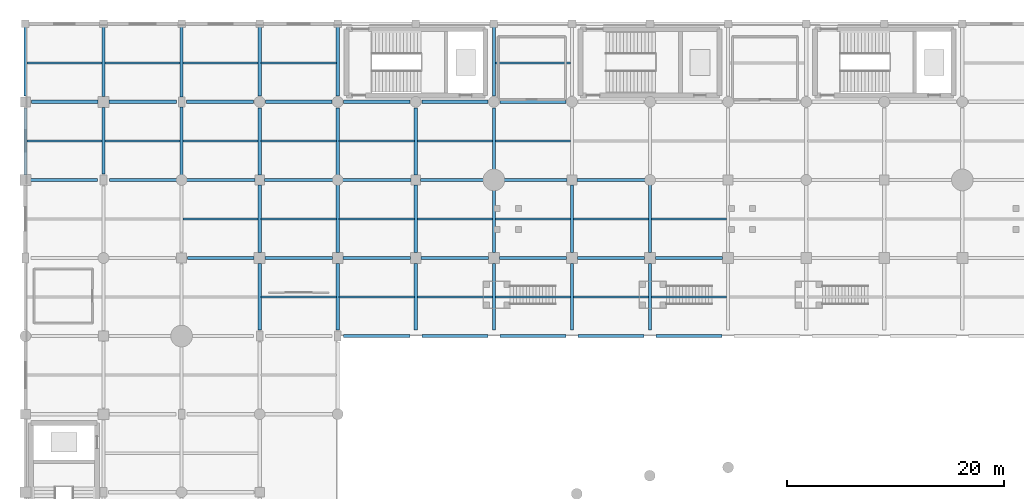
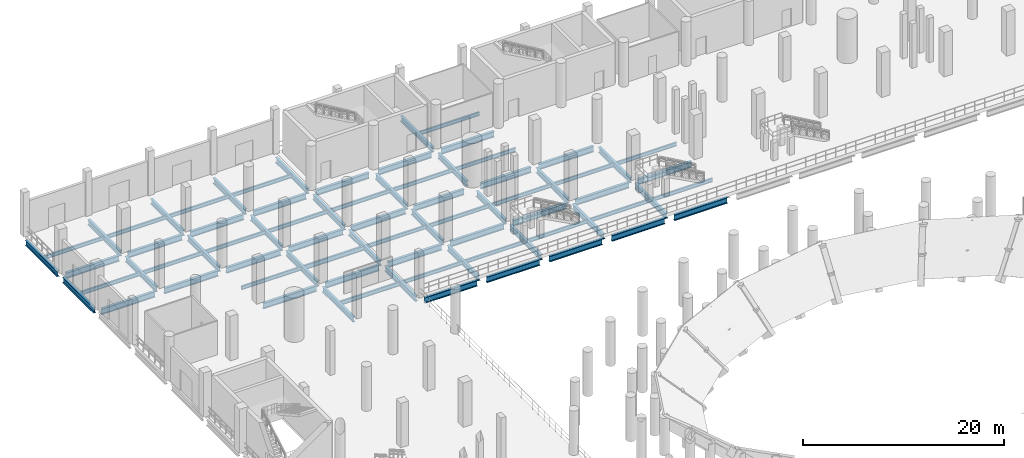
# One storey, part 11 of 58: 77 beams.
"""IFC4 building model written with IfcOpenShell, lengths in metres."""

from ifc_helpers import new_model, si_unit, direction, frame, origin, origin_2d, place, context, subcontext, project, spatial, i_section, extrude, material, material_profile, profile_set, type_object, element, save


model = new_model("IFC4")

# Units and contexts
model_context = context("Model", 3, precision=1e-05, world=origin(), true_north=direction((0.0, 1.0)))
body_context = subcontext(model_context, "Body", "Model", "MODEL_VIEW")
ifc_project = project(units=[si_unit("LENGTHUNIT", "METRE"), si_unit("AREAUNIT", "SQUARE_METRE"), si_unit("VOLUMEUNIT", "CUBIC_METRE"), si_unit("PLANEANGLEUNIT", "RADIAN"), si_unit("MASSUNIT", "GRAM", prefix="KILO")], contexts=[model_context])

# Site, building, storey
site_placement = place(None, origin())
site = spatial("IfcSite", under=ifc_project, at=site_placement, CompositionType="ELEMENT")
building_placement = place(site_placement, origin())
building = spatial("IfcBuilding", under=site, at=building_placement, Name="Qandorah Velis Arena", CompositionType="ELEMENT")
storey_placement = place(building_placement, origin())
storey = spatial("IfcBuildingStorey", under=building, at=storey_placement, Name="L00", CompositionType="ELEMENT", Elevation=0.0)

# Beams
ifc_material = material(Name="Steel S355", Category="steel")
ifc_material_profile_1 = material_profile(ifc_material, i_section(OverallWidth=0.300048828125, OverallDepth=0.64990234375, WebThickness=0.01611328125, FlangeThickness=0.031005859375, FilletRadius=0.027099609375, at=origin_2d()), Name="HEB 650")
ifc_profile_set_1 = profile_set([ifc_material_profile_1], Name="Steel S355")
beam_type_1 = type_object("IfcBeamType", Name="STR-BM-HEB650", PredefinedType="BEAM", material=ifc_profile_set_1)
beam_1_placement = place(storey_placement, frame((0.0, 115.64990234375, -0.7451171875), z_axis=(0.0, 1.0, 0.0), x_axis=(-1.0, 0.0, 0.0)))
element("IfcBeam", 1, at=beam_1_placement, inside=storey, type_object=beam_type_1, Name="Primary floor girder L00 Y-284", PredefinedType="BEAM", context=body_context, shape_type="SweptSolid", body=[
    extrude(i_section(OverallWidth=0.300048828125, OverallDepth=0.64990234375, WebThickness=0.01611328125, FlangeThickness=0.031005859375, FilletRadius=0.027099609375, at=origin_2d()), origin(), (0.0, 0.0, 1.0), 6.2001953125),
])
beam_2_placement = place(storey_placement, frame((0.0, 122.949951171875, -0.7451171875), z_axis=(0.0, 1.0, 0.0), x_axis=(-1.0, 0.0, 0.0)))
element("IfcBeam", 2, at=beam_2_placement, inside=storey, type_object=beam_type_1, Name="Primary floor girder L00 Y-285", PredefinedType="BEAM", context=body_context, shape_type="SweptSolid", body=[
    extrude(i_section(OverallWidth=0.300048828125, OverallDepth=0.64990234375, WebThickness=0.01611328125, FlangeThickness=0.031005859375, FilletRadius=0.027099609375, at=origin_2d()), origin(), (0.0, 0.0, 1.0), 6.35009765625),
])
beam_3_placement = place(storey_placement, frame((7.199951171875, 115.75, -0.7451171875), z_axis=(0.0, 1.0, 0.0), x_axis=(-1.0, 0.0, 0.0)))
element("IfcBeam", 3, at=beam_3_placement, inside=storey, type_object=beam_type_1, Name="Primary floor girder L00 Y-302", PredefinedType="BEAM", context=body_context, shape_type="SweptSolid", body=[
    extrude(i_section(OverallWidth=0.300048828125, OverallDepth=0.64990234375, WebThickness=0.01611328125, FlangeThickness=0.031005859375, FilletRadius=0.027099609375, at=origin_2d()), origin(), (0.0, 0.0, 1.0), 6.14990234375),
])
beam_4_placement = place(storey_placement, frame((7.199951171875, 122.89990234375, -0.7451171875), z_axis=(0.0, 1.0, 0.0), x_axis=(-1.0, 0.0, 0.0)))
element("IfcBeam", 4, at=beam_4_placement, inside=storey, type_object=beam_type_1, Name="Primary floor girder L00 Y-303", PredefinedType="BEAM", context=body_context, shape_type="SweptSolid", body=[
    extrude(i_section(OverallWidth=0.300048828125, OverallDepth=0.64990234375, WebThickness=0.01611328125, FlangeThickness=0.031005859375, FilletRadius=0.027099609375, at=origin_2d()), origin(), (0.0, 0.0, 1.0), 6.400146484375),
])
beam_5_placement = place(storey_placement, frame((14.39990234375, 115.64990234375, -0.7451171875), z_axis=(0.0, 1.0, 0.0), x_axis=(-1.0, 0.0, 0.0)))
element("IfcBeam", 5, at=beam_5_placement, inside=storey, type_object=beam_type_1, Name="Primary floor girder L00 Y-320", PredefinedType="BEAM", context=body_context, shape_type="SweptSolid", body=[
    extrude(i_section(OverallWidth=0.300048828125, OverallDepth=0.64990234375, WebThickness=0.01611328125, FlangeThickness=0.031005859375, FilletRadius=0.027099609375, at=origin_2d()), origin(), (0.0, 0.0, 1.0), 6.300048828125),
])
beam_6_placement = place(storey_placement, frame((14.39990234375, 122.85009765625, -0.7451171875), z_axis=(0.0, 1.0, 0.0), x_axis=(-1.0, 0.0, 0.0)))
element("IfcBeam", 6, at=beam_6_placement, inside=storey, type_object=beam_type_1, Name="Primary floor girder L00 Y-321", PredefinedType="BEAM", context=body_context, shape_type="SweptSolid", body=[
    extrude(i_section(OverallWidth=0.300048828125, OverallDepth=0.64990234375, WebThickness=0.01611328125, FlangeThickness=0.031005859375, FilletRadius=0.027099609375, at=origin_2d()), origin(), (0.0, 0.0, 1.0), 6.449951171875),
])
beam_7_placement = place(storey_placement, frame((21.60009765625, 101.35009765625, -0.7451171875), z_axis=(0.0, 1.0, 0.0), x_axis=(-1.0, 0.0, 0.0)))
element("IfcBeam", 7, at=beam_7_placement, inside=storey, type_object=beam_type_1, Name="Primary floor girder L00 Y-336", PredefinedType="BEAM", context=body_context, shape_type="SweptSolid", body=[
    extrude(i_section(OverallWidth=0.300048828125, OverallDepth=0.64990234375, WebThickness=0.01611328125, FlangeThickness=0.031005859375, FilletRadius=0.027099609375, at=origin_2d()), origin(), (0.0, 0.0, 1.0), 6.14990234375),
])
beam_8_placement = place(storey_placement, frame((21.60009765625, 108.5, -0.7451171875), z_axis=(0.0, 1.0, 0.0), x_axis=(-1.0, 0.0, 0.0)))
element("IfcBeam", 8, at=beam_8_placement, inside=storey, type_object=beam_type_1, Name="Primary floor girder L00 Y-337", PredefinedType="BEAM", context=body_context, shape_type="SweptSolid", body=[
    extrude(i_section(OverallWidth=0.300048828125, OverallDepth=0.64990234375, WebThickness=0.01611328125, FlangeThickness=0.031005859375, FilletRadius=0.027099609375, at=origin_2d()), origin(), (0.0, 0.0, 1.0), 6.25),
])
beam_9_placement = place(storey_placement, frame((21.60009765625, 115.64990234375, -0.7451171875), z_axis=(0.0, 1.0, 0.0), x_axis=(-1.0, 0.0, 0.0)))
element("IfcBeam", 9, at=beam_9_placement, inside=storey, type_object=beam_type_1, Name="Primary floor girder L00 Y-338", PredefinedType="BEAM", context=body_context, shape_type="SweptSolid", body=[
    extrude(i_section(OverallWidth=0.300048828125, OverallDepth=0.64990234375, WebThickness=0.01611328125, FlangeThickness=0.031005859375, FilletRadius=0.027099609375, at=origin_2d()), origin(), (0.0, 0.0, 1.0), 6.2001953125),
])
beam_10_placement = place(storey_placement, frame((21.60009765625, 122.949951171875, -0.7451171875), z_axis=(0.0, 1.0, 0.0), x_axis=(-1.0, 0.0, 0.0)))
element("IfcBeam", 10, at=beam_10_placement, inside=storey, type_object=beam_type_1, Name="Primary floor girder L00 Y-339", PredefinedType="BEAM", context=body_context, shape_type="SweptSolid", body=[
    extrude(i_section(OverallWidth=0.300048828125, OverallDepth=0.64990234375, WebThickness=0.01611328125, FlangeThickness=0.031005859375, FilletRadius=0.027099609375, at=origin_2d()), origin(), (0.0, 0.0, 1.0), 6.35009765625),
])
beam_11_placement = place(storey_placement, frame((28.800048828125, 101.35009765625, -0.7451171875), z_axis=(0.0, 1.0, 0.0), x_axis=(-1.0, 0.0, 0.0)))
element("IfcBeam", 11, at=beam_11_placement, inside=storey, type_object=beam_type_1, Name="Primary floor girder L00 Y-346", PredefinedType="BEAM", context=body_context, shape_type="SweptSolid", body=[
    extrude(i_section(OverallWidth=0.300048828125, OverallDepth=0.64990234375, WebThickness=0.01611328125, FlangeThickness=0.031005859375, FilletRadius=0.027099609375, at=origin_2d()), origin(), (0.0, 0.0, 1.0), 6.14990234375),
])
beam_12_placement = place(storey_placement, frame((28.800048828125, 108.5, -0.7451171875), z_axis=(0.0, 1.0, 0.0), x_axis=(-1.0, 0.0, 0.0)))
element("IfcBeam", 12, at=beam_12_placement, inside=storey, type_object=beam_type_1, Name="Primary floor girder L00 Y-347", PredefinedType="BEAM", context=body_context, shape_type="SweptSolid", body=[
    extrude(i_section(OverallWidth=0.300048828125, OverallDepth=0.64990234375, WebThickness=0.01611328125, FlangeThickness=0.031005859375, FilletRadius=0.027099609375, at=origin_2d()), origin(), (0.0, 0.0, 1.0), 6.25),
])
beam_13_placement = place(storey_placement, frame((28.800048828125, 115.64990234375, -0.7451171875), z_axis=(0.0, 1.0, 0.0), x_axis=(-1.0, 0.0, 0.0)))
element("IfcBeam", 13, at=beam_13_placement, inside=storey, type_object=beam_type_1, Name="Primary floor girder L00 Y-348", PredefinedType="BEAM", context=body_context, shape_type="SweptSolid", body=[
    extrude(i_section(OverallWidth=0.300048828125, OverallDepth=0.64990234375, WebThickness=0.01611328125, FlangeThickness=0.031005859375, FilletRadius=0.027099609375, at=origin_2d()), origin(), (0.0, 0.0, 1.0), 6.2001953125),
])
beam_14_placement = place(storey_placement, frame((28.800048828125, 122.949951171875, -0.7451171875), z_axis=(0.0, 1.0, 0.0), x_axis=(-1.0, 0.0, 0.0)))
element("IfcBeam", 14, at=beam_14_placement, inside=storey, type_object=beam_type_1, Name="Primary floor girder L00 Y-349", PredefinedType="BEAM", context=body_context, shape_type="SweptSolid", body=[
    extrude(i_section(OverallWidth=0.300048828125, OverallDepth=0.64990234375, WebThickness=0.01611328125, FlangeThickness=0.031005859375, FilletRadius=0.027099609375, at=origin_2d()), origin(), (0.0, 0.0, 1.0), 6.35009765625),
])
beam_15_placement = place(storey_placement, frame((36.0, 101.35009765625, -0.7451171875), z_axis=(0.0, 1.0, 0.0), x_axis=(-1.0, 0.0, 0.0)))
element("IfcBeam", 15, at=beam_15_placement, inside=storey, type_object=beam_type_1, Name="Primary floor girder L00 Y-353", PredefinedType="BEAM", context=body_context, shape_type="SweptSolid", body=[
    extrude(i_section(OverallWidth=0.300048828125, OverallDepth=0.64990234375, WebThickness=0.01611328125, FlangeThickness=0.031005859375, FilletRadius=0.027099609375, at=origin_2d()), origin(), (0.0, 0.0, 1.0), 6.14990234375),
])
beam_16_placement = place(storey_placement, frame((36.0, 108.5, -0.7451171875), z_axis=(0.0, 1.0, 0.0), x_axis=(-1.0, 0.0, 0.0)))
element("IfcBeam", 16, at=beam_16_placement, inside=storey, type_object=beam_type_1, Name="Primary floor girder L00 Y-354", PredefinedType="BEAM", context=body_context, shape_type="SweptSolid", body=[
    extrude(i_section(OverallWidth=0.300048828125, OverallDepth=0.64990234375, WebThickness=0.01611328125, FlangeThickness=0.031005859375, FilletRadius=0.027099609375, at=origin_2d()), origin(), (0.0, 0.0, 1.0), 6.25),
])
beam_17_placement = place(storey_placement, frame((36.0, 115.64990234375, -0.7451171875), z_axis=(0.0, 1.0, 0.0), x_axis=(-1.0, 0.0, 0.0)))
element("IfcBeam", 17, at=beam_17_placement, inside=storey, type_object=beam_type_1, Name="Primary floor girder L00 Y-355", PredefinedType="BEAM", context=body_context, shape_type="SweptSolid", body=[
    extrude(i_section(OverallWidth=0.300048828125, OverallDepth=0.64990234375, WebThickness=0.01611328125, FlangeThickness=0.031005859375, FilletRadius=0.027099609375, at=origin_2d()), origin(), (0.0, 0.0, 1.0), 6.2001953125),
])
beam_18_placement = place(storey_placement, frame((43.199951171875, 101.35009765625, -0.7451171875), z_axis=(0.0, 1.0, 0.0), x_axis=(-1.0, 0.0, 0.0)))
element("IfcBeam", 18, at=beam_18_placement, inside=storey, type_object=beam_type_1, Name="Primary floor girder L00 Y-360", PredefinedType="BEAM", context=body_context, shape_type="SweptSolid", body=[
    extrude(i_section(OverallWidth=0.300048828125, OverallDepth=0.64990234375, WebThickness=0.01611328125, FlangeThickness=0.031005859375, FilletRadius=0.027099609375, at=origin_2d()), origin(), (0.0, 0.0, 1.0), 6.14990234375),
])
beam_19_placement = place(storey_placement, frame((43.199951171875, 108.5, -0.7451171875), z_axis=(0.0, 1.0, 0.0), x_axis=(-1.0, 0.0, 0.0)))
element("IfcBeam", 19, at=beam_19_placement, inside=storey, type_object=beam_type_1, Name="Primary floor girder L00 Y-361", PredefinedType="BEAM", context=body_context, shape_type="SweptSolid", body=[
    extrude(i_section(OverallWidth=0.300048828125, OverallDepth=0.64990234375, WebThickness=0.01611328125, FlangeThickness=0.031005859375, FilletRadius=0.027099609375, at=origin_2d()), origin(), (0.0, 0.0, 1.0), 5.75),
])
beam_20_placement = place(storey_placement, frame((43.199951171875, 116.14990234375, -0.7451171875), z_axis=(0.0, 1.0, 0.0), x_axis=(-1.0, 0.0, 0.0)))
element("IfcBeam", 20, at=beam_20_placement, inside=storey, type_object=beam_type_1, Name="Primary floor girder L00 Y-362", PredefinedType="BEAM", context=body_context, shape_type="SweptSolid", body=[
    extrude(i_section(OverallWidth=0.300048828125, OverallDepth=0.64990234375, WebThickness=0.01611328125, FlangeThickness=0.031005859375, FilletRadius=0.027099609375, at=origin_2d()), origin(), (0.0, 0.0, 1.0), 5.7001953125),
])
beam_21_placement = place(storey_placement, frame((43.199951171875, 122.949951171875, -0.7451171875), z_axis=(0.0, 1.0, 0.0), x_axis=(-1.0, 0.0, 0.0)))
element("IfcBeam", 21, at=beam_21_placement, inside=storey, type_object=beam_type_1, Name="Primary floor girder L00 Y-363", PredefinedType="BEAM", context=body_context, shape_type="SweptSolid", body=[
    extrude(i_section(OverallWidth=0.300048828125, OverallDepth=0.64990234375, WebThickness=0.01611328125, FlangeThickness=0.031005859375, FilletRadius=0.027099609375, at=origin_2d()), origin(), (0.0, 0.0, 1.0), 6.35009765625),
])
beam_22_placement = place(storey_placement, frame((50.39990234375, 101.35009765625, -0.7451171875), z_axis=(0.0, 1.0, 0.0), x_axis=(-1.0, 0.0, 0.0)))
element("IfcBeam", 22, at=beam_22_placement, inside=storey, type_object=beam_type_1, Name="Primary floor girder L00 Y-368", PredefinedType="BEAM", context=body_context, shape_type="SweptSolid", body=[
    extrude(i_section(OverallWidth=0.300048828125, OverallDepth=0.64990234375, WebThickness=0.01611328125, FlangeThickness=0.031005859375, FilletRadius=0.027099609375, at=origin_2d()), origin(), (0.0, 0.0, 1.0), 6.14990234375),
])
beam_23_placement = place(storey_placement, frame((50.39990234375, 108.5, -0.7451171875), z_axis=(0.0, 1.0, 0.0), x_axis=(-1.0, 0.0, 0.0)))
element("IfcBeam", 23, at=beam_23_placement, inside=storey, type_object=beam_type_1, Name="Primary floor girder L00 Y-369", PredefinedType="BEAM", context=body_context, shape_type="SweptSolid", body=[
    extrude(i_section(OverallWidth=0.300048828125, OverallDepth=0.64990234375, WebThickness=0.01611328125, FlangeThickness=0.031005859375, FilletRadius=0.027099609375, at=origin_2d()), origin(), (0.0, 0.0, 1.0), 6.25),
])
beam_24_placement = place(storey_placement, frame((57.60009765625, 101.35009765625, -0.7451171875), z_axis=(0.0, 1.0, 0.0), x_axis=(-1.0, 0.0, 0.0)))
element("IfcBeam", 24, at=beam_24_placement, inside=storey, type_object=beam_type_1, Name="Primary floor girder L00 Y-375", PredefinedType="BEAM", context=body_context, shape_type="SweptSolid", body=[
    extrude(i_section(OverallWidth=0.300048828125, OverallDepth=0.64990234375, WebThickness=0.01611328125, FlangeThickness=0.031005859375, FilletRadius=0.027099609375, at=origin_2d()), origin(), (0.0, 0.0, 1.0), 6.14990234375),
])
beam_25_placement = place(storey_placement, frame((57.60009765625, 108.5, -0.7451171875), z_axis=(0.0, 1.0, 0.0), x_axis=(-1.0, 0.0, 0.0)))
element("IfcBeam", 25, at=beam_25_placement, inside=storey, type_object=beam_type_1, Name="Primary floor girder L00 Y-376", PredefinedType="BEAM", context=body_context, shape_type="SweptSolid", body=[
    extrude(i_section(OverallWidth=0.300048828125, OverallDepth=0.64990234375, WebThickness=0.01611328125, FlangeThickness=0.031005859375, FilletRadius=0.027099609375, at=origin_2d()), origin(), (0.0, 0.0, 1.0), 6.25),
])
ifc_material_profile_2 = material_profile(ifc_material, i_section(OverallWidth=0.300048828125, OverallDepth=0.699951171875, WebThickness=0.01708984375, FlangeThickness=0.031982421875, FilletRadius=0.027099609375, at=origin_2d()), Name="HEB 700")
ifc_profile_set_2 = profile_set([ifc_material_profile_2], Name="Steel S355")
beam_type_2 = type_object("IfcBeamType", Name="STR-BM-HEB700", PredefinedType="BEAM", material=ifc_profile_set_2)
for number, where, z_axis, x_axis, name in (
    (26, (29.35009765625, 100.800048828125, -0.77001953125), (1.0, 0.0, 0.0), (0.0, 1.0, 0.0), "Primary floor girder L00 X-177"),
    (27, (36.550048828125, 100.800048828125, -0.77001953125), (1.0, 0.0, 0.0), (0.0, 1.0, 0.0), "Primary floor girder L00 X-178"),
):
    element("IfcBeam", number, at=place(storey_placement, frame(where, z_axis=z_axis, x_axis=x_axis)), inside=storey, type_object=beam_type_2, Name=name, PredefinedType="BEAM", context=body_context, shape_type="SweptSolid", body=[
        extrude(i_section(OverallWidth=0.300048828125, OverallDepth=0.699951171875, WebThickness=0.01708984375, FlangeThickness=0.031982421875, FilletRadius=0.027099609375, at=origin_2d()), origin(), (0.0, 0.0, 1.0), 6.099853515625),
    ])
for number, where, z_axis, x_axis, name in (
    (28, (43.75, 100.800048828125, -0.77001953125), (1.0, 0.0, 0.0), (0.0, 1.0, 0.0), "Primary floor girder L00 X-179"),
    (29, (50.949951171875, 100.800048828125, -0.77001953125), (1.0, 0.0, 0.0), (0.0, 1.0, 0.0), "Primary floor girder L00 X-180"),
    (30, (58.14990234375, 100.800048828125, -0.77001953125), (1.0, 0.0, 0.0), (0.0, 1.0, 0.0), "Primary floor girder L00 X-181"),
):
    element("IfcBeam", number, at=place(storey_placement, frame(where, z_axis=z_axis, x_axis=x_axis)), inside=storey, type_object=beam_type_2, Name=name, PredefinedType="BEAM", context=body_context, shape_type="SweptSolid", body=[
        extrude(i_section(OverallWidth=0.300048828125, OverallDepth=0.699951171875, WebThickness=0.01708984375, FlangeThickness=0.031982421875, FilletRadius=0.027099609375, at=origin_2d()), origin(), (0.0, 0.0, 1.0), 6.10009765625),
    ])
beam_26_placement = place(storey_placement, frame((14.949951171875, 108.0, -0.77001953125), z_axis=(1.0, 0.0, 0.0), x_axis=(0.0, 1.0, 0.0)))
element("IfcBeam", 31, at=beam_26_placement, inside=storey, type_object=beam_type_2, Name="Primary floor girder L00 X-197", PredefinedType="BEAM", context=body_context, shape_type="SweptSolid", body=[
    extrude(i_section(OverallWidth=0.300048828125, OverallDepth=0.699951171875, WebThickness=0.01708984375, FlangeThickness=0.031982421875, FilletRadius=0.027099609375, at=origin_2d()), origin(), (0.0, 0.0, 1.0), 6.150146484375),
])
for number, where, z_axis, x_axis, name in (
    (32, (22.10009765625, 108.0, -0.77001953125), (1.0, 0.0, 0.0), (0.0, 1.0, 0.0), "Primary floor girder L00 X-198"),
    (33, (29.300048828125, 108.0, -0.77001953125), (1.0, 0.0, 0.0), (0.0, 1.0, 0.0), "Primary floor girder L00 X-199"),
    (34, (36.5, 108.0, -0.77001953125), (1.0, 0.0, 0.0), (0.0, 1.0, 0.0), "Primary floor girder L00 X-200"),
    (35, (43.699951171875, 108.0, -0.77001953125), (1.0, 0.0, 0.0), (0.0, 1.0, 0.0), "Primary floor girder L00 X-201"),
):
    element("IfcBeam", number, at=place(storey_placement, frame(where, z_axis=z_axis, x_axis=x_axis)), inside=storey, type_object=beam_type_2, Name=name, PredefinedType="BEAM", context=body_context, shape_type="SweptSolid", body=[
        extrude(i_section(OverallWidth=0.300048828125, OverallDepth=0.699951171875, WebThickness=0.01708984375, FlangeThickness=0.031982421875, FilletRadius=0.027099609375, at=origin_2d()), origin(), (0.0, 0.0, 1.0), 6.199951171875),
    ])
beam_27_placement = place(storey_placement, frame((50.89990234375, 108.0, -0.77001953125), z_axis=(1.0, 0.0, 0.0), x_axis=(0.0, 1.0, 0.0)))
element("IfcBeam", 36, at=beam_27_placement, inside=storey, type_object=beam_type_2, Name="Primary floor girder L00 X-202", PredefinedType="BEAM", context=body_context, shape_type="SweptSolid", body=[
    extrude(i_section(OverallWidth=0.300048828125, OverallDepth=0.699951171875, WebThickness=0.01708984375, FlangeThickness=0.031982421875, FilletRadius=0.027099609375, at=origin_2d()), origin(), (0.0, 0.0, 1.0), 6.2001953125),
])
for number, where, z_axis, x_axis, name in (
    (37, (58.10009765625, 108.0, -0.77001953125), (1.0, 0.0, 0.0), (0.0, 1.0, 0.0), "Primary floor girder L00 X-203"),
    (38, (0.449951171875, 115.199951171875, -0.77001953125), (1.0, 0.0, 0.0), (0.0, 1.0, 0.0), "Primary floor girder L00 X-214"),
    (39, (7.75, 115.199951171875, -0.77001953125), (1.0, 0.0, 0.0), (0.0, 1.0, 0.0), "Primary floor girder L00 X-215"),
):
    element("IfcBeam", number, at=place(storey_placement, frame(where, z_axis=z_axis, x_axis=x_axis)), inside=storey, type_object=beam_type_2, Name=name, PredefinedType="BEAM", context=body_context, shape_type="SweptSolid", body=[
        extrude(i_section(OverallWidth=0.300048828125, OverallDepth=0.699951171875, WebThickness=0.01708984375, FlangeThickness=0.031982421875, FilletRadius=0.027099609375, at=origin_2d()), origin(), (0.0, 0.0, 1.0), 6.199951171875),
    ])
beam_28_placement = place(storey_placement, frame((14.85009765625, 115.199951171875, -0.77001953125), z_axis=(1.0, 0.0, 0.0), x_axis=(0.0, 1.0, 0.0)))
element("IfcBeam", 40, at=beam_28_placement, inside=storey, type_object=beam_type_2, Name="Primary floor girder L00 X-216", PredefinedType="BEAM", context=body_context, shape_type="SweptSolid", body=[
    extrude(i_section(OverallWidth=0.300048828125, OverallDepth=0.699951171875, WebThickness=0.01708984375, FlangeThickness=0.031982421875, FilletRadius=0.027099609375, at=origin_2d()), origin(), (0.0, 0.0, 1.0), 6.2998046875),
])
for number, where, z_axis, x_axis, name in (
    (41, (22.050048828125, 115.199951171875, -0.77001953125), (1.0, 0.0, 0.0), (0.0, 1.0, 0.0), "Primary floor girder L00 X-217"),
    (42, (29.25, 115.199951171875, -0.77001953125), (1.0, 0.0, 0.0), (0.0, 1.0, 0.0), "Primary floor girder L00 X-218"),
):
    element("IfcBeam", number, at=place(storey_placement, frame(where, z_axis=z_axis, x_axis=x_axis)), inside=storey, type_object=beam_type_2, Name=name, PredefinedType="BEAM", context=body_context, shape_type="SweptSolid", body=[
        extrude(i_section(OverallWidth=0.300048828125, OverallDepth=0.699951171875, WebThickness=0.01708984375, FlangeThickness=0.031982421875, FilletRadius=0.027099609375, at=origin_2d()), origin(), (0.0, 0.0, 1.0), 6.300048828125),
    ])
for number, where, z_axis, x_axis, name in (
    (43, (36.449951171875, 115.199951171875, -0.77001953125), (1.0, 0.0, 0.0), (0.0, 1.0, 0.0), "Primary floor girder L00 X-219"),
    (44, (44.14990234375, 115.199951171875, -0.77001953125), (1.0, 0.0, 0.0), (0.0, 1.0, 0.0), "Primary floor girder L00 X-220"),
):
    element("IfcBeam", number, at=place(storey_placement, frame(where, z_axis=z_axis, x_axis=x_axis)), inside=storey, type_object=beam_type_2, Name=name, PredefinedType="BEAM", context=body_context, shape_type="SweptSolid", body=[
        extrude(i_section(OverallWidth=0.300048828125, OverallDepth=0.699951171875, WebThickness=0.01708984375, FlangeThickness=0.031982421875, FilletRadius=0.027099609375, at=origin_2d()), origin(), (0.0, 0.0, 1.0), 5.800048828125),
    ])
beam_29_placement = place(storey_placement, frame((50.85009765625, 115.199951171875, -0.77001953125), z_axis=(1.0, 0.0, 0.0), x_axis=(0.0, 1.0, 0.0)))
element("IfcBeam", 45, at=beam_29_placement, inside=storey, type_object=beam_type_2, Name="Primary floor girder L00 X-221", PredefinedType="BEAM", context=body_context, shape_type="SweptSolid", body=[
    extrude(i_section(OverallWidth=0.300048828125, OverallDepth=0.699951171875, WebThickness=0.01708984375, FlangeThickness=0.031982421875, FilletRadius=0.027099609375, at=origin_2d()), origin(), (0.0, 0.0, 1.0), 6.2998046875),
])
beam_30_placement = place(storey_placement, frame((0.550048828125, 122.39990234375, -0.77001953125), z_axis=(1.0, 0.0, 0.0), x_axis=(0.0, 1.0, 0.0)))
element("IfcBeam", 46, at=beam_30_placement, inside=storey, type_object=beam_type_2, Name="Primary floor girder L00 X-236", PredefinedType="BEAM", context=body_context, shape_type="SweptSolid", body=[
    extrude(i_section(OverallWidth=0.300048828125, OverallDepth=0.699951171875, WebThickness=0.01708984375, FlangeThickness=0.031982421875, FilletRadius=0.027099609375, at=origin_2d()), origin(), (0.0, 0.0, 1.0), 6.14990234375),
])
beam_31_placement = place(storey_placement, frame((7.699951171875, 122.39990234375, -0.77001953125), z_axis=(1.0, 0.0, 0.0), x_axis=(0.0, 1.0, 0.0)))
element("IfcBeam", 47, at=beam_31_placement, inside=storey, type_object=beam_type_2, Name="Primary floor girder L00 X-237", PredefinedType="BEAM", context=body_context, shape_type="SweptSolid", body=[
    extrude(i_section(OverallWidth=0.300048828125, OverallDepth=0.699951171875, WebThickness=0.01708984375, FlangeThickness=0.031982421875, FilletRadius=0.027099609375, at=origin_2d()), origin(), (0.0, 0.0, 1.0), 6.25),
])
beam_32_placement = place(storey_placement, frame((14.85009765625, 122.39990234375, -0.77001953125), z_axis=(1.0, 0.0, 0.0), x_axis=(0.0, 1.0, 0.0)))
element("IfcBeam", 48, at=beam_32_placement, inside=storey, type_object=beam_type_2, Name="Primary floor girder L00 X-238", PredefinedType="BEAM", context=body_context, shape_type="SweptSolid", body=[
    extrude(i_section(OverallWidth=0.300048828125, OverallDepth=0.699951171875, WebThickness=0.01708984375, FlangeThickness=0.031982421875, FilletRadius=0.027099609375, at=origin_2d()), origin(), (0.0, 0.0, 1.0), 6.199951171875),
])
beam_33_placement = place(storey_placement, frame((22.14990234375, 122.39990234375, -0.77001953125), z_axis=(1.0, 0.0, 0.0), x_axis=(0.0, 1.0, 0.0)))
element("IfcBeam", 49, at=beam_33_placement, inside=storey, type_object=beam_type_2, Name="Primary floor girder L00 X-239", PredefinedType="BEAM", context=body_context, shape_type="SweptSolid", body=[
    extrude(i_section(OverallWidth=0.300048828125, OverallDepth=0.699951171875, WebThickness=0.01708984375, FlangeThickness=0.031982421875, FilletRadius=0.027099609375, at=origin_2d()), origin(), (0.0, 0.0, 1.0), 6.10009765625),
])
for number, where, z_axis, x_axis, name in (
    (50, (29.35009765625, 122.39990234375, -0.77001953125), (1.0, 0.0, 0.0), (0.0, 1.0, 0.0), "Primary floor girder L00 X-240"),
    (51, (36.550048828125, 122.39990234375, -0.77001953125), (1.0, 0.0, 0.0), (0.0, 1.0, 0.0), "Primary floor girder L00 X-241"),
):
    element("IfcBeam", number, at=place(storey_placement, frame(where, z_axis=z_axis, x_axis=x_axis)), inside=storey, type_object=beam_type_2, Name=name, PredefinedType="BEAM", context=body_context, shape_type="SweptSolid", body=[
        extrude(i_section(OverallWidth=0.300048828125, OverallDepth=0.699951171875, WebThickness=0.01708984375, FlangeThickness=0.031982421875, FilletRadius=0.027099609375, at=origin_2d()), origin(), (0.0, 0.0, 1.0), 6.099853515625),
    ])
beam_34_placement = place(storey_placement, frame((43.75, 122.39990234375, -0.77001953125), z_axis=(1.0, 0.0, 0.0), x_axis=(0.0, 1.0, 0.0)))
element("IfcBeam", 52, at=beam_34_placement, inside=storey, type_object=beam_type_2, Name="Primary floor girder L00 X-242", PredefinedType="BEAM", context=body_context, shape_type="SweptSolid", body=[
    extrude(i_section(OverallWidth=0.300048828125, OverallDepth=0.699951171875, WebThickness=0.01708984375, FlangeThickness=0.031982421875, FilletRadius=0.027099609375, at=origin_2d()), origin(), (0.0, 0.0, 1.0), 6.10009765625),
])
ifc_material_profile_3 = material_profile(ifc_material, i_section(OverallWidth=0.18994140625, OverallDepth=0.449951171875, WebThickness=0.009521484375, FlangeThickness=0.0146484375, FilletRadius=0.02099609375, at=origin_2d()), Name="IPE 450")
ifc_profile_set_3 = profile_set([ifc_material_profile_3], Name="Steel S355")
beam_type_3 = type_object("IfcBeamType", Name="STR-JST-IPE450", PredefinedType="JOIST", material=ifc_profile_set_3)
for number, where, z_axis, x_axis, name in (
    (53, (0.135009765625, 118.800048828125, -0.64501953125), (1.0, 0.0, 0.0), (0.0, 1.0, 0.0), "Secondary floor joist L00-013"),
    (54, (0.135009765625, 126.0, -0.64501953125), (1.0, 0.0, 0.0), (0.0, 1.0, 0.0), "Secondary floor joist L00-014"),
    (55, (7.3349609375, 118.800048828125, -0.64501953125), (1.0, 0.0, 0.0), (0.0, 1.0, 0.0), "Secondary floor joist L00-031"),
    (56, (7.3349609375, 126.0, -0.64501953125), (1.0, 0.0, 0.0), (0.0, 1.0, 0.0), "Secondary floor joist L00-032"),
):
    element("IfcBeam", number, at=place(storey_placement, frame(where, z_axis=z_axis, x_axis=x_axis)), inside=storey, type_object=beam_type_3, Name=name, PredefinedType="JOIST", context=body_context, shape_type="SweptSolid", body=[
        extrude(i_section(OverallWidth=0.18994140625, OverallDepth=0.449951171875, WebThickness=0.009521484375, FlangeThickness=0.0146484375, FilletRadius=0.02099609375, at=origin_2d()), origin(), (0.0, 0.0, 1.0), 6.929931640625),
    ])
for number, where, z_axis, x_axis, name in (
    (57, (14.534912109375, 111.60009765625, -0.64501953125), (1.0, 0.0, 0.0), (0.0, 1.0, 0.0), "Secondary floor joist L00-048"),
    (58, (14.534912109375, 118.800048828125, -0.64501953125), (1.0, 0.0, 0.0), (0.0, 1.0, 0.0), "Secondary floor joist L00-049"),
    (59, (14.534912109375, 126.0, -0.64501953125), (1.0, 0.0, 0.0), (0.0, 1.0, 0.0), "Secondary floor joist L00-050"),
):
    element("IfcBeam", number, at=place(storey_placement, frame(where, z_axis=z_axis, x_axis=x_axis)), inside=storey, type_object=beam_type_3, Name=name, PredefinedType="JOIST", context=body_context, shape_type="SweptSolid", body=[
        extrude(i_section(OverallWidth=0.18994140625, OverallDepth=0.449951171875, WebThickness=0.009521484375, FlangeThickness=0.0146484375, FilletRadius=0.02099609375, at=origin_2d()), origin(), (0.0, 0.0, 1.0), 6.93017578125),
    ])
for number, where, z_axis, x_axis, name in (
    (60, (21.735107421875, 118.800048828125, -0.64501953125), (1.0, 0.0, 0.0), (0.0, 1.0, 0.0), "Secondary floor joist L00-059"),
    (61, (21.735107421875, 126.0, -0.64501953125), (1.0, 0.0, 0.0), (0.0, 1.0, 0.0), "Secondary floor joist L00-060"),
    (62, (28.93505859375, 104.39990234375, -0.64501953125), (1.0, 0.0, 0.0), (0.0, 1.0, 0.0), "Secondary floor joist L00-064"),
    (63, (28.93505859375, 111.60009765625, -0.64501953125), (1.0, 0.0, 0.0), (0.0, 1.0, 0.0), "Secondary floor joist L00-065"),
    (64, (28.93505859375, 118.800048828125, -0.64501953125), (1.0, 0.0, 0.0), (0.0, 1.0, 0.0), "Secondary floor joist L00-066"),
    (65, (36.135009765625, 104.39990234375, -0.64501953125), (1.0, 0.0, 0.0), (0.0, 1.0, 0.0), "Secondary floor joist L00-070"),
    (66, (36.135009765625, 111.60009765625, -0.64501953125), (1.0, 0.0, 0.0), (0.0, 1.0, 0.0), "Secondary floor joist L00-071"),
    (67, (36.135009765625, 118.800048828125, -0.64501953125), (1.0, 0.0, 0.0), (0.0, 1.0, 0.0), "Secondary floor joist L00-072"),
    (68, (43.3349609375, 104.39990234375, -0.64501953125), (1.0, 0.0, 0.0), (0.0, 1.0, 0.0), "Secondary floor joist L00-077"),
    (69, (43.3349609375, 111.60009765625, -0.64501953125), (1.0, 0.0, 0.0), (0.0, 1.0, 0.0), "Secondary floor joist L00-078"),
    (70, (43.3349609375, 118.800048828125, -0.64501953125), (1.0, 0.0, 0.0), (0.0, 1.0, 0.0), "Secondary floor joist L00-079"),
    (71, (43.3349609375, 126.0, -0.64501953125), (1.0, 0.0, 0.0), (0.0, 1.0, 0.0), "Secondary floor joist L00-080"),
):
    element("IfcBeam", number, at=place(storey_placement, frame(where, z_axis=z_axis, x_axis=x_axis)), inside=storey, type_object=beam_type_3, Name=name, PredefinedType="JOIST", context=body_context, shape_type="SweptSolid", body=[
        extrude(i_section(OverallWidth=0.18994140625, OverallDepth=0.449951171875, WebThickness=0.009521484375, FlangeThickness=0.0146484375, FilletRadius=0.02099609375, at=origin_2d()), origin(), (0.0, 0.0, 1.0), 6.929931640625),
    ])
for number, where, z_axis, x_axis, name in (
    (72, (50.534912109375, 104.39990234375, -0.64501953125), (1.0, 0.0, 0.0), (0.0, 1.0, 0.0), "Secondary floor joist L00-084"),
    (73, (50.534912109375, 111.60009765625, -0.64501953125), (1.0, 0.0, 0.0), (0.0, 1.0, 0.0), "Secondary floor joist L00-085"),
):
    element("IfcBeam", number, at=place(storey_placement, frame(where, z_axis=z_axis, x_axis=x_axis)), inside=storey, type_object=beam_type_3, Name=name, PredefinedType="JOIST", context=body_context, shape_type="SweptSolid", body=[
        extrude(i_section(OverallWidth=0.18994140625, OverallDepth=0.449951171875, WebThickness=0.009521484375, FlangeThickness=0.0146484375, FilletRadius=0.02099609375, at=origin_2d()), origin(), (0.0, 0.0, 1.0), 6.93017578125),
    ])
for number, where, z_axis, x_axis, name in (
    (74, (57.735107421875, 104.39990234375, -0.64501953125), (1.0, 0.0, 0.0), (0.0, 1.0, 0.0), "Secondary floor joist L00-090"),
    (75, (57.735107421875, 111.60009765625, -0.64501953125), (1.0, 0.0, 0.0), (0.0, 1.0, 0.0), "Secondary floor joist L00-091"),
):
    element("IfcBeam", number, at=place(storey_placement, frame(where, z_axis=z_axis, x_axis=x_axis)), inside=storey, type_object=beam_type_3, Name=name, PredefinedType="JOIST", context=body_context, shape_type="SweptSolid", body=[
        extrude(i_section(OverallWidth=0.18994140625, OverallDepth=0.449951171875, WebThickness=0.009521484375, FlangeThickness=0.0146484375, FilletRadius=0.02099609375, at=origin_2d()), origin(), (0.0, 0.0, 1.0), 6.929931640625),
    ])
ifc_material_profile_4 = material_profile(ifc_material, i_section(OverallWidth=0.199951171875, OverallDepth=0.5, WebThickness=0.01025390625, FlangeThickness=0.01611328125, FilletRadius=0.02099609375, at=origin_2d()), Name="IPE 500")
ifc_profile_set_4 = profile_set([ifc_material_profile_4], Name="Steel S355")
beam_type_4 = type_object("IfcBeamType", Name="STR-JST-IPE500", PredefinedType="JOIST", material=ifc_profile_set_4)
beam_35_placement = place(storey_placement, frame((21.735107421875, 104.39990234375, -0.669921875), z_axis=(1.0, 0.0, 0.0), x_axis=(0.0, 1.0, 0.0)))
element("IfcBeam", 76, at=beam_35_placement, inside=storey, type_object=beam_type_4, Name="Secondary floor joist L00-057", PredefinedType="JOIST", context=body_context, shape_type="SweptSolid", body=[
    extrude(i_section(OverallWidth=0.199951171875, OverallDepth=0.5, WebThickness=0.01025390625, FlangeThickness=0.01611328125, FilletRadius=0.02099609375, at=origin_2d()), origin(), (0.0, 0.0, 1.0), 6.929931640625),
])
ifc_material_profile_5 = material_profile(ifc_material, i_section(OverallWidth=0.2099609375, OverallDepth=0.550048828125, WebThickness=0.010986328125, FlangeThickness=0.01708984375, FilletRadius=0.02392578125, at=origin_2d()), Name="IPE 550")
ifc_profile_set_5 = profile_set([ifc_material_profile_5], Name="Steel S355")
beam_type_5 = type_object("IfcBeamType", Name="STR-JST-IPE550", PredefinedType="JOIST", material=ifc_profile_set_5)
beam_36_placement = place(storey_placement, frame((21.735107421875, 111.60009765625, -0.695068359375), z_axis=(1.0, 0.0, 0.0), x_axis=(0.0, 1.0, 0.0)))
element("IfcBeam", 77, at=beam_36_placement, inside=storey, type_object=beam_type_5, Name="Secondary floor joist L00-058", PredefinedType="JOIST", context=body_context, shape_type="SweptSolid", body=[
    extrude(i_section(OverallWidth=0.2099609375, OverallDepth=0.550048828125, WebThickness=0.010986328125, FlangeThickness=0.01708984375, FilletRadius=0.02392578125, at=origin_2d()), origin(), (0.0, 0.0, 1.0), 6.929931640625),
])

save(model, "model.ifc")
